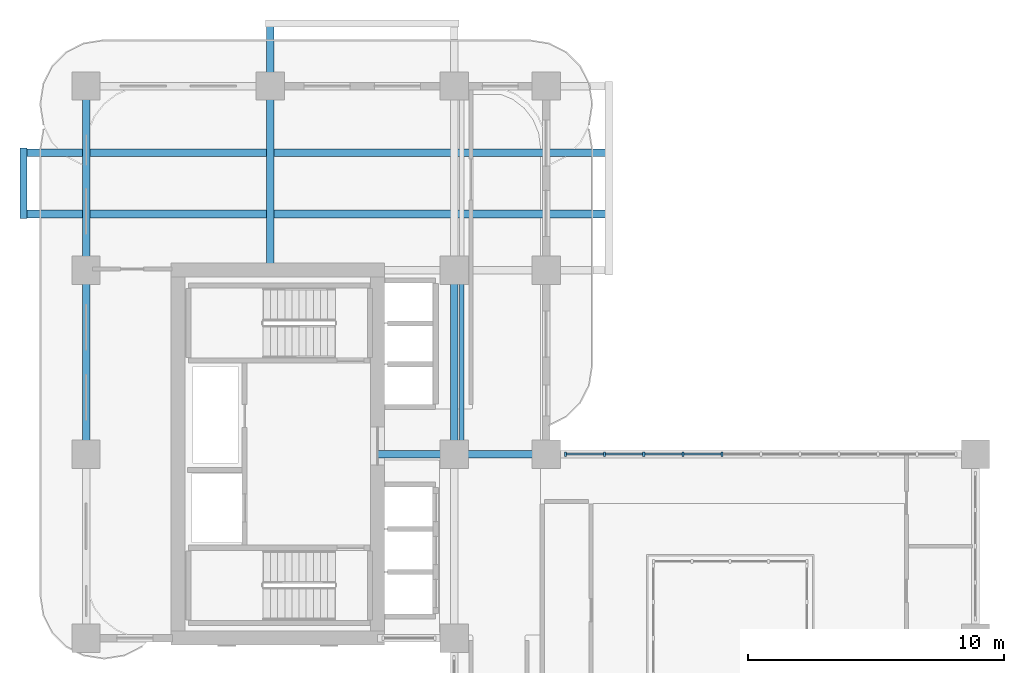
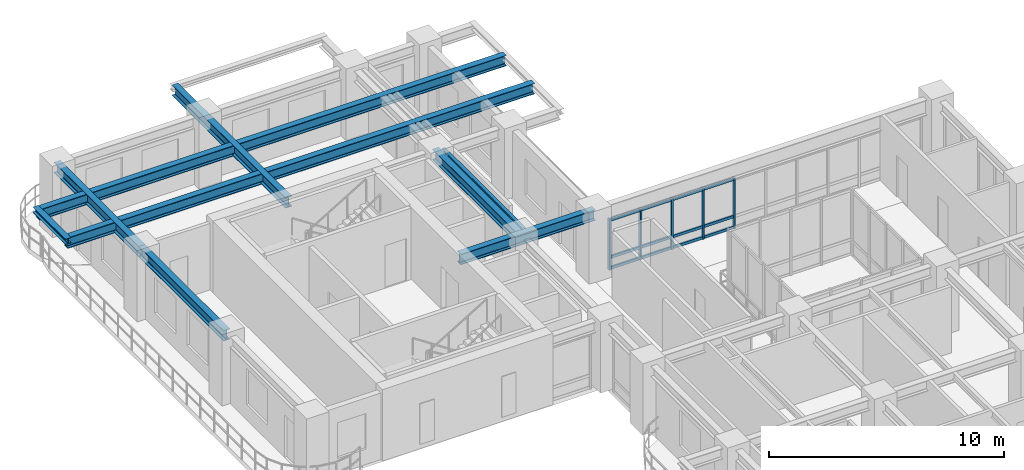
# One storey, part 6 of 22: 17 members, 9 beams, 1 element without a shape of its own.
"""IFC4 building model written with IfcOpenShell, lengths in metres."""

from ifc_helpers import new_model, si_unit, derived_unit, direction, frame, origin, origin_2d, place, context, subcontext, project, spatial, rectangle, i_section, extrude, source, transform, mapped, material, layer, layer_set, material_profile, profile_set, type_object, type_shapes, element, aggregate, save


model = new_model("IFC4")

# Units and contexts
model_context = context("Model", 3, precision=1e-05, world=origin(), true_north=direction((0.0, 1.0)))
body_context = subcontext(model_context, "Body", "Model", "MODEL_VIEW")
ifc_project = project(units=[si_unit("LENGTHUNIT", "METRE"), si_unit("AREAUNIT", "SQUARE_METRE"), si_unit("VOLUMEUNIT", "CUBIC_METRE"), si_unit("PLANEANGLEUNIT", "RADIAN"), si_unit("MASSUNIT", "GRAM", prefix="KILO"), si_unit("THERMODYNAMICTEMPERATUREUNIT", "KELVIN"), si_unit("POWERUNIT", "WATT"), derived_unit("THERMALTRANSMITTANCEUNIT", [(si_unit("POWERUNIT", "WATT"), 1), (si_unit("AREAUNIT", "SQUARE_METRE"), -1), (si_unit("THERMODYNAMICTEMPERATUREUNIT", "KELVIN"), -1)])], contexts=[model_context])

# Site, building, storey
site_placement = place(None, origin())
site = spatial("IfcSite", under=ifc_project, at=site_placement, CompositionType="ELEMENT")
building_placement = place(site_placement, origin())
building = spatial("IfcBuilding", under=site, at=building_placement, Name="Zahravan Archway Hotel and Residences", CompositionType="ELEMENT")
storey_placement = place(building_placement, frame((0.0, 0.0, 95.300048828125)))
storey = spatial("IfcBuildingStorey", under=building, at=storey_placement, Name="L23", CompositionType="ELEMENT", Elevation=95.300048828125)

# Beams
ifc_material_1 = material(Name="Structural Steel S355JR", Category="steel")
ifc_material_profile_1 = material_profile(ifc_material_1, i_section(OverallWidth=0.280029296875, OverallDepth=0.280029296875, WebThickness=0.010498046875, FlangeThickness=0.01806640625, FilletRadius=0.02392578125, at=origin_2d()), Name="HEB 280", Category="steel")
ifc_profile_set_1 = profile_set([ifc_material_profile_1], Name="Structural Steel S355JR")
beam_type_1 = type_object("IfcBeamType", Name="BM-SPN-HEB280", PredefinedType="SPANDREL", material=ifc_profile_set_1)
shared_shape_1 = source(origin(), body_context, "Body", "SweptSolid", [
    extrude(i_section(OverallWidth=0.280029296875, OverallDepth=0.280029296875, WebThickness=0.010498046875, FlangeThickness=0.01806640625, FilletRadius=0.02392578125, at=origin_2d()), origin(), (0.0, 0.0, 1.0), 2.759765625),
])
beam_1_placement = place(storey_placement, frame((-2.449951171875, 41.6201171875, 3.31005859375), z_axis=(0.0, 1.0, 0.0), x_axis=(-1.0, 0.0, 0.0)))
element("IfcBeam", 1, at=beam_1_placement, inside=storey, type_object=beam_type_1, Name="L24 WB Balcony Edge Spandrel", PredefinedType="SPANDREL", context=body_context, shape_type="MappedRepresentation", body=[
    mapped(shared_shape_1, transform((0.0, 0.0, 0.0), scale=1.0)),
])
ifc_material_profile_2 = material_profile(ifc_material_1, i_section(OverallWidth=0.300048828125, OverallDepth=0.550048828125, WebThickness=0.014892578125, FlangeThickness=0.029052734375, FilletRadius=0.027099609375, at=origin_2d()), Name="HEB 550", Category="steel")
ifc_profile_set_2 = profile_set([ifc_material_profile_2], Name="Structural Steel S355JR")
beam_type_2 = type_object("IfcBeamType", Name="BM-PRI-HEB550", PredefinedType="BEAM", material=ifc_profile_set_2)
shared_shape_2 = source(origin(), body_context, "Body", "SweptSolid", [
    extrude(i_section(OverallWidth=0.300048828125, OverallDepth=0.550048828125, WebThickness=0.014892578125, FlangeThickness=0.029052734375, FilletRadius=0.027099609375, at=origin_2d()), origin(), (0.0, 0.0, 1.0), 7.2001953125),
])
type_shapes(beam_type_2, [shared_shape_2])
for number, where, z_axis, x_axis, name in (
    (2, (0.0, 32.39990234375, 3.175048828125), (0.0, 1.0, 0.0), (-1.0, 0.0, 0.0), "L23 Primary Girder NS-29"),
    (3, (14.39990234375, 32.39990234375, 3.175048828125), (0.0, 1.0, 0.0), (-1.0, 0.0, 0.0), "L23 Primary Girder NS-37"),
):
    element("IfcBeam", number, at=place(storey_placement, frame(where, z_axis=z_axis, x_axis=x_axis)), inside=storey, type_object=beam_type_2, Name=name, PredefinedType="BEAM", context=body_context, shape_type="MappedRepresentation", body=[
        mapped(shared_shape_2, transform((0.0, 0.0, 0.0), scale=1.0)),
    ])
shared_shape_3 = source(origin(), body_context, "Body", "SweptSolid", [
    extrude(i_section(OverallWidth=0.300048828125, OverallDepth=0.550048828125, WebThickness=0.014892578125, FlangeThickness=0.029052734375, FilletRadius=0.027099609375, at=origin_2d()), origin(), (0.0, 0.0, 1.0), 7.199951171875),
])
beam_2_placement = place(storey_placement, frame((0.0, 39.60009765625, 3.175048828125), z_axis=(0.0, 1.0, 0.0), x_axis=(-1.0, 0.0, 0.0)))
element("IfcBeam", 4, at=beam_2_placement, inside=storey, type_object=beam_type_2, Name="L23 Primary Girder NS-30", PredefinedType="BEAM", context=body_context, shape_type="MappedRepresentation", body=[
    mapped(shared_shape_3, transform((0.0, 0.0, 0.0), scale=1.0)),
])
shared_shape_4 = source(origin(), body_context, "Body", "SweptSolid", [
    extrude(i_section(OverallWidth=0.300048828125, OverallDepth=0.550048828125, WebThickness=0.014892578125, FlangeThickness=0.029052734375, FilletRadius=0.027099609375, at=origin_2d()), origin(), (0.0, 0.0, 1.0), 6.60009765625),
])
beam_3_placement = place(storey_placement, frame((11.39990234375, 32.39990234375, 3.175048828125), z_axis=(1.0, 0.0, 0.0), x_axis=(0.0, 1.0, 0.0)))
element("IfcBeam", 5, at=beam_3_placement, inside=storey, type_object=beam_type_2, Name="L23 Primary Girder EW-21", PredefinedType="BEAM", context=body_context, shape_type="MappedRepresentation", body=[
    mapped(shared_shape_4, transform((0.0, 0.0, 0.0), scale=1.0)),
])
shared_shape_5 = source(origin(), body_context, "Body", "SweptSolid", [
    extrude(i_section(OverallWidth=0.300048828125, OverallDepth=0.550048828125, WebThickness=0.014892578125, FlangeThickness=0.029052734375, FilletRadius=0.027099609375, at=origin_2d()), origin(), (0.0, 0.0, 1.0), 22.89990234375),
])
for number, where, z_axis, x_axis, name in (
    (6, (-2.449951171875, 41.800048828125, 3.175048828125), (1.0, 0.0, 0.0), (0.0, 1.0, 0.0), "L23 Primary Girder EW-26"),
    (7, (-2.449951171875, 44.199951171875, 3.175048828125), (1.0, 0.0, 0.0), (0.0, 1.0, 0.0), "L23 Primary Girder EW-27"),
):
    element("IfcBeam", number, at=place(storey_placement, frame(where, z_axis=z_axis, x_axis=x_axis)), inside=storey, type_object=beam_type_2, Name=name, PredefinedType="BEAM", context=body_context, shape_type="MappedRepresentation", body=[
        mapped(shared_shape_5, transform((0.0, 0.0, 0.0), scale=1.0)),
    ])
shared_shape_6 = source(origin(), body_context, "Body", "SweptSolid", [
    extrude(i_section(OverallWidth=0.300048828125, OverallDepth=0.550048828125, WebThickness=0.014892578125, FlangeThickness=0.029052734375, FilletRadius=0.027099609375, at=origin_2d()), origin(), (0.0, 0.0, 1.0), 9.64990234375),
])
beam_4_placement = place(storey_placement, frame((7.199951171875, 39.60009765625, 3.175048828125), z_axis=(0.0, 1.0, 0.0), x_axis=(-1.0, 0.0, 0.0)))
element("IfcBeam", 8, at=beam_4_placement, inside=storey, type_object=beam_type_2, Name="L23 Primary Girder NS-31", PredefinedType="BEAM", context=body_context, shape_type="MappedRepresentation", body=[
    mapped(shared_shape_6, transform((0.0, 0.0, 0.0), scale=1.0)),
])
ifc_material_profile_3 = material_profile(ifc_material_1, i_section(OverallWidth=0.169921875, OverallDepth=0.360107421875, WebThickness=0.008056640625, FlangeThickness=0.0126953125, FilletRadius=0.01806640625, at=origin_2d()), Name="IPE 360", Category="steel")
ifc_profile_set_3 = profile_set([ifc_material_profile_3], Name="Structural Steel S355JR")
beam_type_3 = type_object("IfcBeamType", Name="BM-JST-IPE360", PredefinedType="JOIST", material=ifc_profile_set_3)
shared_shape_7 = source(origin(), body_context, "Body", "SweptSolid", [
    extrude(i_section(OverallWidth=0.169921875, OverallDepth=0.360107421875, WebThickness=0.008056640625, FlangeThickness=0.0126953125, FilletRadius=0.01806640625, at=origin_2d()), origin(), (0.0, 0.0, 1.0), 6.90380859375),
])
beam_5_placement = place(storey_placement, frame((14.699951171875, 32.548095703125, 3.27001953125), z_axis=(0.0, 1.0, 0.0), x_axis=(-1.0, 0.0, 0.0)))
element("IfcBeam", 9, at=beam_5_placement, inside=storey, type_object=beam_type_3, Name="L23 Composite Floor Joist 13", PredefinedType="JOIST", context=body_context, shape_type="MappedRepresentation", body=[
    mapped(shared_shape_7, transform((0.0, 0.0, 0.0), scale=1.0)),
])

# Curtain wall, members
ifc_material_2 = material(Name="Bronze-Anodized Unitised Aluminium & Low-E Glass", Category="aluminium")
ifc_layer = layer(ifc_material_2, 0.179931640625, Name="Bronze-Anodized Unitised Aluminium & Low-E Glass", Category="aluminium")
ifc_layer_set = layer_set([ifc_layer], Name="Bronze-Anodized Unitised Aluminium & Low-E Glass")
curtain_wall_type = type_object("IfcCurtainWallType", Name="CW-ATR-GLAZ", PredefinedType="NOTDEFINED", material=ifc_layer_set)
curtain_wall_placement = place(storey_placement, origin())
curtain_wall = element("IfcCurtainWall", 10, at=curtain_wall_placement, inside=storey, type_object=curtain_wall_type, Name="L23 Curtain Wall CW-L23-HNG-N-1", PredefinedType="NOTDEFINED")
ifc_material_3 = material(Name="Bronze-Anodized Extruded Aluminium", Category="aluminium")
ifc_material_profile_4 = material_profile(ifc_material_3, rectangle(XDim=0.080078125, YDim=0.159912109375, at=origin_2d()), Name="MUL 80x160", Category="aluminium")
ifc_profile_set_4 = profile_set([ifc_material_profile_4], Name="Bronze-Anodized Extruded Aluminium")
member_type_1 = type_object("IfcMemberType", Name="CWM-MUL-160", PredefinedType="MULLION", material=ifc_profile_set_4)
shared_shape_8 = source(origin(), body_context, "Body", "SweptSolid", [
    extrude(rectangle(XDim=0.080078125, YDim=0.159912109375, at=origin_2d()), origin(), (0.0, 0.0, 1.0), 2.635009765625),
])
member_1_placement = place(storey_placement, frame((18.760009765625, 32.39990234375, 0.0), z_axis=(0.0, 0.0, 1.0), x_axis=(1.0, 0.0, 0.0)))
member_1 = element("IfcMember", 11, at=member_1_placement, type_object=member_type_1, Name="CW-L23-HNG-N-1 Mullion 0", PredefinedType="MULLION", context=body_context, shape_type="MappedRepresentation", body=[
    mapped(shared_shape_8, transform((0.0, 0.0, 0.0), scale=1.0)),
])
member_2_placement = place(storey_placement, frame((20.2880859375, 32.39990234375, 0.0), z_axis=(0.0, 0.0, 1.0), x_axis=(1.0, 0.0, 0.0)))
member_2 = element("IfcMember", 12, at=member_2_placement, type_object=member_type_1, Name="CW-L23-HNG-N-1 Mullion 1", PredefinedType="MULLION", context=body_context, shape_type="MappedRepresentation", body=[
    mapped(shared_shape_8, transform((0.0, 0.0, 0.0), scale=1.0)),
])
member_3_placement = place(storey_placement, frame((21.81591796875, 32.39990234375, 0.0), z_axis=(0.0, 0.0, 1.0), x_axis=(1.0, 0.0, 0.0)))
member_3 = element("IfcMember", 13, at=member_3_placement, type_object=member_type_1, Name="CW-L23-HNG-N-1 Mullion 2", PredefinedType="MULLION", context=body_context, shape_type="MappedRepresentation", body=[
    mapped(shared_shape_8, transform((0.0, 0.0, 0.0), scale=1.0)),
])
member_4_placement = place(storey_placement, frame((23.343994140625, 32.39990234375, 0.0), z_axis=(0.0, 0.0, 1.0), x_axis=(1.0, 0.0, 0.0)))
member_4 = element("IfcMember", 14, at=member_4_placement, type_object=member_type_1, Name="CW-L23-HNG-N-1 Mullion 3", PredefinedType="MULLION", context=body_context, shape_type="MappedRepresentation", body=[
    mapped(shared_shape_8, transform((0.0, 0.0, 0.0), scale=1.0)),
])
member_5_placement = place(storey_placement, frame((24.8720703125, 32.39990234375, 0.0), z_axis=(0.0, 0.0, 1.0), x_axis=(1.0, 0.0, 0.0)))
member_5 = element("IfcMember", 15, at=member_5_placement, type_object=member_type_1, Name="CW-L23-HNG-N-1 Mullion 4", PredefinedType="MULLION", context=body_context, shape_type="MappedRepresentation", body=[
    mapped(shared_shape_8, transform((0.0, 0.0, 0.0), scale=1.0)),
])
ifc_material_profile_5 = material_profile(ifc_material_3, rectangle(XDim=0.080078125, YDim=0.139892578125, at=origin_2d()), Name="TRN 80x140", Category="aluminium")
ifc_profile_set_5 = profile_set([ifc_material_profile_5], Name="Bronze-Anodized Extruded Aluminium")
member_type_2 = type_object("IfcMemberType", Name="CWM-TRN-140", PredefinedType="USERDEFINED", material=ifc_profile_set_5)
shared_shape_9 = source(origin(), body_context, "Body", "SweptSolid", [
    extrude(rectangle(XDim=0.080078125, YDim=0.139892578125, at=origin_2d()), origin(), (0.0, 0.0, 1.0), 1.447998046875),
])
member_6_placement = place(storey_placement, frame((18.800048828125, 32.39990234375, 0.070068359375), z_axis=(1.0, 0.0, 0.0), x_axis=(0.0, 1.0, 0.0)))
member_6 = element("IfcMember", 16, at=member_6_placement, type_object=member_type_2, Name="CW-L23-HNG-N-1 Transom 0-1", ObjectType="TRANSOM", PredefinedType="USERDEFINED", context=body_context, shape_type="MappedRepresentation", body=[
    mapped(shared_shape_9, transform((0.0, 0.0, 0.0), scale=1.0)),
])
member_7_placement = place(storey_placement, frame((18.800048828125, 32.39990234375, 0.63232421875), z_axis=(1.0, 0.0, 0.0), x_axis=(0.0, 1.0, 0.0)))
member_7 = element("IfcMember", 17, at=member_7_placement, type_object=member_type_2, Name="CW-L23-HNG-N-1 Transom 0-2", ObjectType="TRANSOM", PredefinedType="USERDEFINED", context=body_context, shape_type="MappedRepresentation", body=[
    mapped(shared_shape_9, transform((0.0, 0.0, 0.0), scale=1.0)),
])
member_8_placement = place(storey_placement, frame((18.800048828125, 32.39990234375, 2.56494140625), z_axis=(1.0, 0.0, 0.0), x_axis=(0.0, 1.0, 0.0)))
member_8 = element("IfcMember", 18, at=member_8_placement, type_object=member_type_2, Name="CW-L23-HNG-N-1 Transom 0-3", ObjectType="TRANSOM", PredefinedType="USERDEFINED", context=body_context, shape_type="MappedRepresentation", body=[
    mapped(shared_shape_9, transform((0.0, 0.0, 0.0), scale=1.0)),
])
member_9_placement = place(storey_placement, frame((20.327880859375, 32.39990234375, 0.070068359375), z_axis=(1.0, 0.0, 0.0), x_axis=(0.0, 1.0, 0.0)))
member_9 = element("IfcMember", 19, at=member_9_placement, type_object=member_type_2, Name="CW-L23-HNG-N-1 Transom 1-1", ObjectType="TRANSOM", PredefinedType="USERDEFINED", context=body_context, shape_type="MappedRepresentation", body=[
    mapped(shared_shape_9, transform((0.0, 0.0, 0.0), scale=1.0)),
])
member_10_placement = place(storey_placement, frame((20.327880859375, 32.39990234375, 0.63232421875), z_axis=(1.0, 0.0, 0.0), x_axis=(0.0, 1.0, 0.0)))
member_10 = element("IfcMember", 20, at=member_10_placement, type_object=member_type_2, Name="CW-L23-HNG-N-1 Transom 1-2", ObjectType="TRANSOM", PredefinedType="USERDEFINED", context=body_context, shape_type="MappedRepresentation", body=[
    mapped(shared_shape_9, transform((0.0, 0.0, 0.0), scale=1.0)),
])
member_11_placement = place(storey_placement, frame((20.327880859375, 32.39990234375, 2.56494140625), z_axis=(1.0, 0.0, 0.0), x_axis=(0.0, 1.0, 0.0)))
member_11 = element("IfcMember", 21, at=member_11_placement, type_object=member_type_2, Name="CW-L23-HNG-N-1 Transom 1-3", ObjectType="TRANSOM", PredefinedType="USERDEFINED", context=body_context, shape_type="MappedRepresentation", body=[
    mapped(shared_shape_9, transform((0.0, 0.0, 0.0), scale=1.0)),
])
member_12_placement = place(storey_placement, frame((21.85595703125, 32.39990234375, 0.070068359375), z_axis=(1.0, 0.0, 0.0), x_axis=(0.0, 1.0, 0.0)))
member_12 = element("IfcMember", 22, at=member_12_placement, type_object=member_type_2, Name="CW-L23-HNG-N-1 Transom 2-1", ObjectType="TRANSOM", PredefinedType="USERDEFINED", context=body_context, shape_type="MappedRepresentation", body=[
    mapped(shared_shape_9, transform((0.0, 0.0, 0.0), scale=1.0)),
])
member_13_placement = place(storey_placement, frame((21.85595703125, 32.39990234375, 0.63232421875), z_axis=(1.0, 0.0, 0.0), x_axis=(0.0, 1.0, 0.0)))
member_13 = element("IfcMember", 23, at=member_13_placement, type_object=member_type_2, Name="CW-L23-HNG-N-1 Transom 2-2", ObjectType="TRANSOM", PredefinedType="USERDEFINED", context=body_context, shape_type="MappedRepresentation", body=[
    mapped(shared_shape_9, transform((0.0, 0.0, 0.0), scale=1.0)),
])
member_14_placement = place(storey_placement, frame((21.85595703125, 32.39990234375, 2.56494140625), z_axis=(1.0, 0.0, 0.0), x_axis=(0.0, 1.0, 0.0)))
member_14 = element("IfcMember", 24, at=member_14_placement, type_object=member_type_2, Name="CW-L23-HNG-N-1 Transom 2-3", ObjectType="TRANSOM", PredefinedType="USERDEFINED", context=body_context, shape_type="MappedRepresentation", body=[
    mapped(shared_shape_9, transform((0.0, 0.0, 0.0), scale=1.0)),
])
member_15_placement = place(storey_placement, frame((23.384033203125, 32.39990234375, 0.070068359375), z_axis=(1.0, 0.0, 0.0), x_axis=(0.0, 1.0, 0.0)))
member_15 = element("IfcMember", 25, at=member_15_placement, type_object=member_type_2, Name="CW-L23-HNG-N-1 Transom 3-1", ObjectType="TRANSOM", PredefinedType="USERDEFINED", context=body_context, shape_type="MappedRepresentation", body=[
    mapped(shared_shape_9, transform((0.0, 0.0, 0.0), scale=1.0)),
])
member_16_placement = place(storey_placement, frame((23.384033203125, 32.39990234375, 0.63232421875), z_axis=(1.0, 0.0, 0.0), x_axis=(0.0, 1.0, 0.0)))
member_16 = element("IfcMember", 26, at=member_16_placement, type_object=member_type_2, Name="CW-L23-HNG-N-1 Transom 3-2", ObjectType="TRANSOM", PredefinedType="USERDEFINED", context=body_context, shape_type="MappedRepresentation", body=[
    mapped(shared_shape_9, transform((0.0, 0.0, 0.0), scale=1.0)),
])
member_17_placement = place(storey_placement, frame((23.384033203125, 32.39990234375, 2.56494140625), z_axis=(1.0, 0.0, 0.0), x_axis=(0.0, 1.0, 0.0)))
member_17 = element("IfcMember", 27, at=member_17_placement, type_object=member_type_2, Name="CW-L23-HNG-N-1 Transom 3-3", ObjectType="TRANSOM", PredefinedType="USERDEFINED", context=body_context, shape_type="MappedRepresentation", body=[
    mapped(shared_shape_9, transform((0.0, 0.0, 0.0), scale=1.0)),
])
aggregate(curtain_wall, [member_1, member_2, member_3, member_4, member_5, member_6, member_7, member_8, member_9, member_10, member_11, member_12, member_13, member_14, member_15, member_16, member_17])

save(model, "model.ifc")
